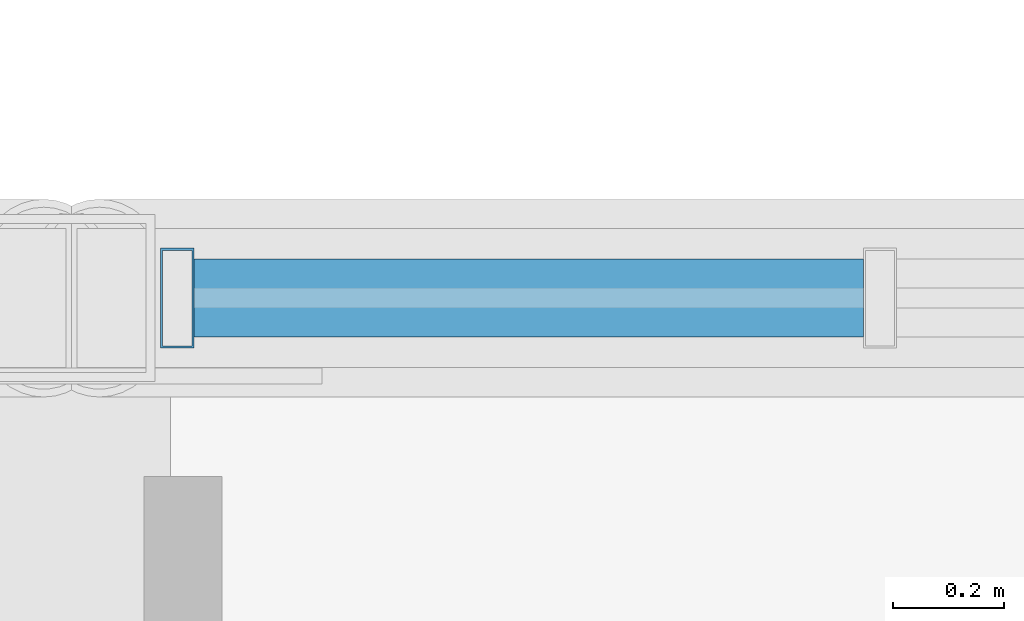
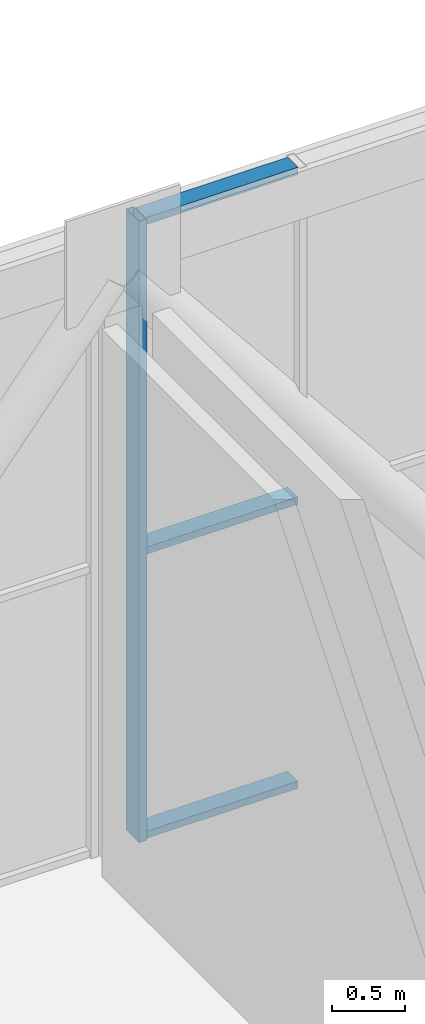
# One storey, part 25 of 58: 4 members, 1 element without a shape of its own.
"""IFC4 building model written with IfcOpenShell, lengths in metres."""

from ifc_helpers import new_model, si_unit, direction, frame, origin, origin_2d, place, context, subcontext, project, spatial, hollow_rectangle, extrude, material, material_profile, profile_set, type_object, element, aggregate, save


model = new_model("IFC4")

# Units and contexts
model_context = context("Model", 3, precision=1e-05, world=origin(), true_north=direction((0.0, 1.0)))
body_context = subcontext(model_context, "Body", "Model", "MODEL_VIEW")
ifc_project = project(units=[si_unit("LENGTHUNIT", "METRE"), si_unit("AREAUNIT", "SQUARE_METRE"), si_unit("VOLUMEUNIT", "CUBIC_METRE"), si_unit("PLANEANGLEUNIT", "RADIAN"), si_unit("MASSUNIT", "GRAM", prefix="KILO")], contexts=[model_context])

# Site, building, storey
site_placement = place(None, origin())
site = spatial("IfcSite", under=ifc_project, at=site_placement, CompositionType="ELEMENT")
building_placement = place(site_placement, origin())
building = spatial("IfcBuilding", under=site, at=building_placement, Name="Khurvash Pelagic Aquarium", CompositionType="ELEMENT")
storey_placement = place(building_placement, frame((0.0, 0.0, 24.60009765625)))
storey = spatial("IfcBuildingStorey", under=building, at=storey_placement, Name="L05", CompositionType="ELEMENT", Elevation=24.60009765625)

# Curtain wall, members
ifc_material_1 = material(Name="Anodised aluminium and low-E laminated glass", Category="aluminium")
curtain_wall_type = type_object("IfcCurtainWallType", Name="CW-01", PredefinedType="USERDEFINED", material=ifc_material_1)
curtain_wall_placement = place(storey_placement, origin())
curtain_wall = element("IfcCurtainWall", 1, at=curtain_wall_placement, inside=storey, type_object=curtain_wall_type, Name="L05 North Sky-Bar Unitised Curtain Wall CW-01 P16", ObjectType="UNITISED CURTAIN WALL", PredefinedType="USERDEFINED")
ifc_material_2 = material(Name="Extruded aluminium AW-6063-T6", Category="aluminium")
ifc_material_profile_1 = material_profile(ifc_material_2, hollow_rectangle(XDim=0.06005859375, YDim=0.179931640625, WallThickness=0.00390625, at=origin_2d()), Name="CWM60X180X4")
ifc_profile_set_1 = profile_set([ifc_material_profile_1], Name="Extruded aluminium AW-6063-T6")
member_type_1 = type_object("IfcMemberType", Name="CM-01", PredefinedType="MULLION", material=ifc_profile_set_1)
member_1_placement = place(storey_placement, frame((75.7900390625, 29.75, 0.0), z_axis=(0.0, 0.0, 1.0), x_axis=(1.0, 0.0, 0.0)))
member_1 = element("IfcMember", 2, at=member_1_placement, type_object=member_type_1, Name="CW-01 mullion 1", PredefinedType="MULLION", context=body_context, shape_type="SweptSolid", body=[
    extrude(hollow_rectangle(XDim=0.06005859375, YDim=0.179931640625, WallThickness=0.00390625, at=origin_2d()), origin(), (0.0, 0.0, 1.0), 5.179931640625),
])
ifc_material_profile_2 = material_profile(ifc_material_2, hollow_rectangle(XDim=0.139892578125, YDim=0.06005859375, WallThickness=0.00390625, at=origin_2d()), Name="CWT140X60X4")
ifc_profile_set_2 = profile_set([ifc_material_profile_2], Name="Extruded aluminium AW-6063-T6")
member_type_2 = type_object("IfcMemberType", Name="CT-01", PredefinedType="USERDEFINED", material=ifc_profile_set_2)
member_2_placement = place(storey_placement, frame((75.820068359375, 29.75, 0.02978515625), z_axis=(1.0, 0.0, 0.0), x_axis=(0.0, 1.0, 0.0)))
member_2 = element("IfcMember", 3, at=member_2_placement, type_object=member_type_2, Name="CW-01 transom 1.1", ObjectType="TRANSOM", PredefinedType="USERDEFINED", context=body_context, shape_type="SweptSolid", body=[
    extrude(hollow_rectangle(XDim=0.139892578125, YDim=0.06005859375, WallThickness=0.00390625, at=origin_2d()), origin(), (0.0, 0.0, 1.0), 1.203369140625),
])
member_3_placement = place(storey_placement, frame((75.820068359375, 29.75, 2.39990234375), z_axis=(1.0, 0.0, 0.0), x_axis=(0.0, 1.0, 0.0)))
member_3 = element("IfcMember", 4, at=member_3_placement, type_object=member_type_2, Name="CW-01 transom 1.2", ObjectType="TRANSOM", PredefinedType="USERDEFINED", context=body_context, shape_type="SweptSolid", body=[
    extrude(hollow_rectangle(XDim=0.139892578125, YDim=0.06005859375, WallThickness=0.00390625, at=origin_2d()), origin(), (0.0, 0.0, 1.0), 1.203369140625),
])
member_4_placement = place(storey_placement, frame((75.820068359375, 29.75, 5.14990234375), z_axis=(1.0, 0.0, 0.0), x_axis=(0.0, 1.0, 0.0)))
member_4 = element("IfcMember", 5, at=member_4_placement, type_object=member_type_2, Name="CW-01 transom 1.3", ObjectType="TRANSOM", PredefinedType="USERDEFINED", context=body_context, shape_type="SweptSolid", body=[
    extrude(hollow_rectangle(XDim=0.139892578125, YDim=0.06005859375, WallThickness=0.00390625, at=origin_2d()), origin(), (0.0, 0.0, 1.0), 1.203369140625),
])
aggregate(curtain_wall, [member_1, member_2, member_3, member_4])

save(model, "model.ifc")
